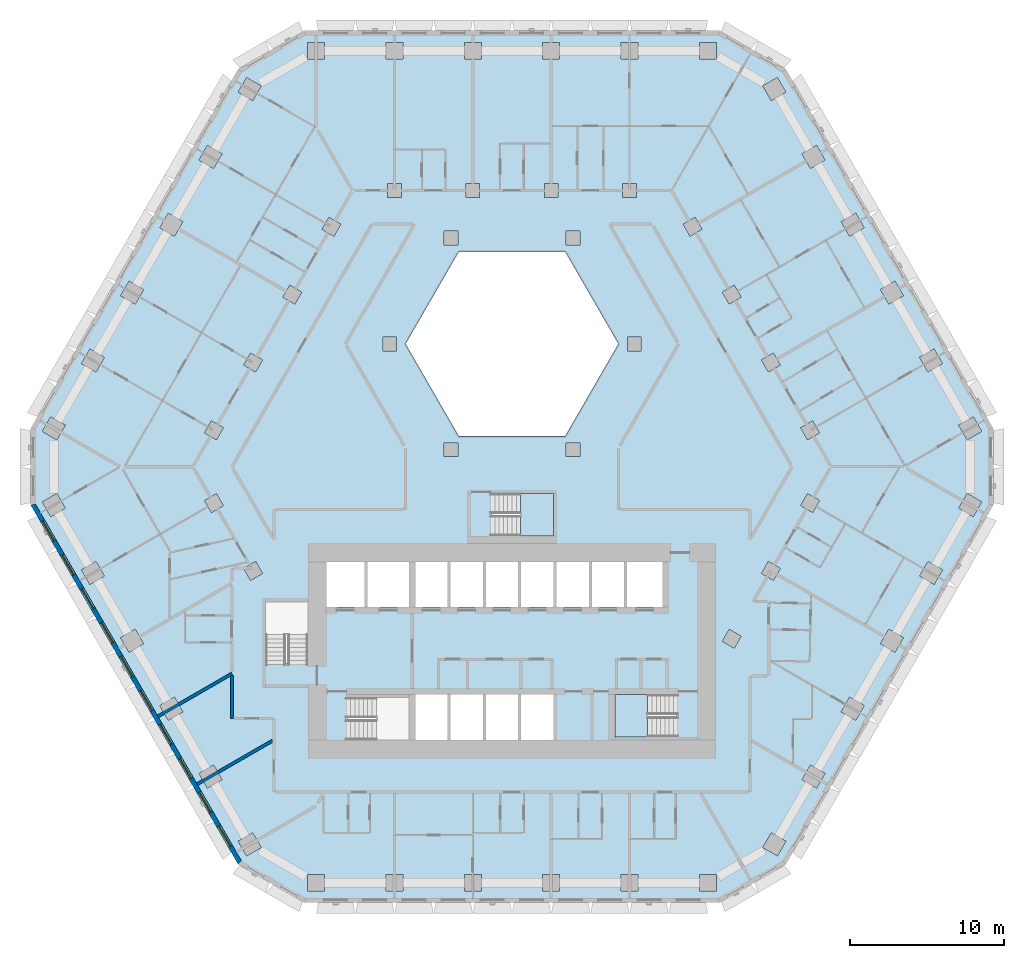
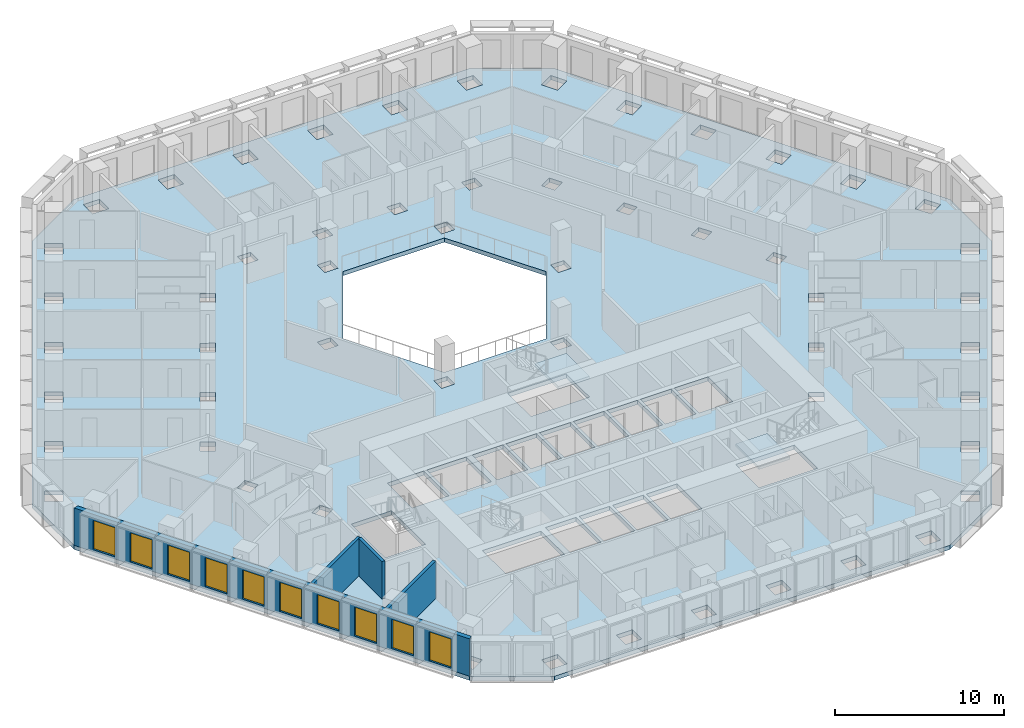
# One storey, part 2 of 21: 10 windows, 4 walls, 3 slabs, 10 openings, 2 elements without a shape of their own.
"""IFC4 building model written with IfcOpenShell, lengths in metres."""

from ifc_helpers import new_model, si_unit, direction, frame, frame_2d, origin, place, context, subcontext, project, spatial, polyline, rectangle, outline, extrude, material, layer, layer_set, type_object, element, fill, aggregate, save


model = new_model("IFC4")

# Units and contexts
model_context = context("Model", 3, precision=1e-05, world=origin(), true_north=direction((0.0, 1.0)))
body_context = subcontext(model_context, "Body", "Model", "MODEL_VIEW")
ifc_project = project(units=[si_unit("LENGTHUNIT", "METRE"), si_unit("AREAUNIT", "SQUARE_METRE"), si_unit("VOLUMEUNIT", "CUBIC_METRE"), si_unit("PLANEANGLEUNIT", "RADIAN"), si_unit("MASSUNIT", "GRAM", prefix="KILO")], contexts=[model_context])

# Site, building, storey
site_placement = place(None, origin())
site = spatial("IfcSite", under=ifc_project, at=site_placement, CompositionType="ELEMENT")
building_placement = place(site_placement, origin())
building = spatial("IfcBuilding", under=site, at=building_placement, Name="Beryl Residences", CompositionType="ELEMENT")
storey_placement = place(building_placement, frame((0.0, 0.0, 35.39990234375)))
storey = spatial("IfcBuildingStorey", under=building, at=storey_placement, Name="L10", CompositionType="ELEMENT", Elevation=35.39990234375)

# Slab
ifc_material_1 = material(Name="Concrete C40/50", Category="concrete")
ifc_layer_1 = layer(ifc_material_1, 0.300048828125)
ifc_layer_set_1 = layer_set([ifc_layer_1], Name="SL7 PT floor slab 300 mm C40/50")
slab_type_1 = type_object("IfcSlabType", Name="SL7 PT floor slab 300 mm C40/50", PredefinedType="FLOOR", material=ifc_layer_set_1)
slab_1_placement = place(storey_placement, frame((0.0, 0.0, -0.2998046875)))
element("IfcSlab", 1, at=slab_1_placement, inside=storey, type_object=slab_type_1, Name="L10 slab 1", PredefinedType="FLOOR", context=body_context, shape_type="SweptSolid", body=[
    extrude(outline(polyline([(31.35009765625, -2.5), (17.840087890625, -25.89990234375), (13.510009765625, -28.39990234375), (-13.510009765625, -28.39990234375), (-17.840087890625, -25.89990234375), (-31.35009765625, -2.5), (-31.35009765625, 2.5), (-17.840087890625, 25.89990234375), (-13.510009765625, 28.39990234375), (13.510009765625, 28.39990234375), (17.840087890625, 25.89990234375), (31.35009765625, 2.5), (31.35009765625, -2.5)]), holes=[polyline([(30.60009765625, -2.298095703125), (29.64794921875, -1.748046875), (29.097900390625, -2.699951171875), (30.050048828125, -3.25), (30.60009765625, -2.298095703125)]), polyline([(30.59912109375, 2.299072265625), (30.049072265625, 3.2509765625), (29.096923828125, 2.700927734375), (29.64697265625, 1.7490234375), (30.59912109375, 2.299072265625)]), polyline([(28.049072265625, -6.718017578125), (27.096923828125, -6.16796875), (26.547119140625, -7.1201171875), (27.4990234375, -7.669921875), (28.049072265625, -6.718017578125)]), polyline([(27.498046875, 7.672119140625), (26.5458984375, 7.1220703125), (27.095947265625, 6.169921875), (28.048095703125, 6.719970703125), (27.498046875, 7.672119140625)]), polyline([(24.544921875, -10.587890625), (23.9951171875, -11.5400390625), (24.947021484375, -12.090087890625), (25.4970703125, -11.137939453125), (24.544921875, -10.587890625)]), polyline([(25.49609375, 11.139892578125), (24.946044921875, 12.092041015625), (23.993896484375, 11.5419921875), (24.5439453125, 10.590087890625), (25.49609375, 11.139892578125)]), polyline([(22.39501953125, -16.510009765625), (22.945068359375, -15.55810546875), (21.992919921875, -15.008056640625), (21.443115234375, -15.9599609375), (22.39501953125, -16.510009765625)]), polyline([(22.39404296875, 16.511962890625), (21.44189453125, 15.9619140625), (21.991943359375, 15.010009765625), (22.944091796875, 15.56005859375), (22.39404296875, 16.511962890625)]), polyline([(20.39306640625, -19.97900390625), (19.44091796875, -19.428955078125), (18.89111328125, -20.381103515625), (19.843017578125, -20.930908203125), (20.39306640625, -19.97900390625)]), polyline([(19.842041015625, 20.931884765625), (18.889892578125, 20.382080078125), (19.43994140625, 19.429931640625), (20.39208984375, 19.97998046875), (19.842041015625, 20.931884765625)]), polyline([(20.031982421875, -2.2041015625), (19.251953125, -1.75390625), (18.802001953125, -2.533935546875), (19.58203125, -2.98388671875), (20.031982421875, -2.2041015625)]), polyline([(20.031005859375, 2.2060546875), (19.5810546875, 2.986083984375), (18.801025390625, 2.535888671875), (19.2509765625, 1.756103515625), (20.031005859375, 2.2060546875)]), polyline([(17.841064453125, -24.39892578125), (16.888916015625, -23.84912109375), (16.339111328125, -24.801025390625), (17.291015625, -25.35107421875), (17.841064453125, -24.39892578125)]), polyline([(17.840087890625, 24.39990234375), (17.2900390625, 25.35205078125), (16.337890625, 24.802001953125), (16.887939453125, 23.85009765625), (17.840087890625, 24.39990234375)]), polyline([(17.47998046875, -6.6240234375), (16.699951171875, -6.174072265625), (16.25, -6.9541015625), (17.030029296875, -7.404052734375), (17.47998046875, -6.6240234375)]), polyline([(17.029052734375, 7.406005859375), (16.2490234375, 6.9560546875), (16.698974609375, 6.176025390625), (17.47900390625, 6.6259765625), (17.029052734375, 7.406005859375)]), polyline([(14.927978515625, -11.0439453125), (14.14794921875, -10.593994140625), (13.697998046875, -11.3740234375), (14.47802734375, -11.823974609375), (14.927978515625, -11.0439453125)]), polyline([(14.927001953125, 11.0458984375), (14.47705078125, 11.825927734375), (13.697021484375, 11.3759765625), (14.14697265625, 10.595947265625), (14.927001953125, 11.0458984375)]), polyline([(13.31103515625, -27.64990234375), (13.31103515625, -26.550048828125), (12.2109375, -26.550048828125), (12.2109375, -27.64990234375), (13.31103515625, -27.64990234375)]), polyline([(13.30908203125, 27.64990234375), (12.208984375, 27.64990234375), (12.208984375, 26.550048828125), (13.30908203125, 26.550048828125), (13.30908203125, 27.64990234375)]), polyline([(11.925048828125, 16.24609375), (11.14501953125, 15.7958984375), (11.594970703125, 15.01611328125), (12.375, 15.466064453125), (11.925048828125, 16.24609375)]), polyline([(10.699951171875, -14.85009765625), (6.699951171875, -14.85009765625), (6.699951171875, -17.60009765625), (10.699951171875, -17.60009765625), (10.699951171875, -14.85009765625)]), polyline([(9.800048828125, -6.199951171875), (7.5, -6.199951171875), (7.5, -9.14990234375), (9.800048828125, -9.14990234375), (9.800048828125, -6.199951171875)]), polyline([(8.4169921875, 7.550048828125), (8.4169921875, 8.449951171875), (7.51708984375, 8.449951171875), (7.51708984375, 7.550048828125), (8.4169921875, 7.550048828125)]), polyline([(7.10693359375, -27.64990234375), (8.20703125, -27.64990234375), (8.20703125, -26.550048828125), (7.10693359375, -26.550048828125), (7.10693359375, -27.64990234375)]), polyline([(8.205078125, 27.64990234375), (7.10498046875, 27.64990234375), (7.10498046875, 26.550048828125), (8.205078125, 26.550048828125), (8.205078125, 27.64990234375)]), polyline([(7.205078125, 18.449951171875), (7.205078125, 17.550048828125), (8.10498046875, 17.550048828125), (8.10498046875, 18.449951171875), (7.205078125, 18.449951171875)]), polyline([(5.199951171875, -9.14990234375), (7.300048828125, -9.14990234375), (7.300048828125, -6.199951171875), (5.199951171875, -6.199951171875), (5.199951171875, -9.14990234375)]), polyline([(3.464111328125, 14.0), (-3.464111328125, 14.0), (-6.92822265625, 8.0), (-3.464111328125, 2.0), (3.464111328125, 2.0), (6.92822265625, 8.0), (3.464111328125, 14.0)]), polyline([(2.89990234375, -6.199951171875), (2.89990234375, -9.14990234375), (5.0, -9.14990234375), (5.0, -6.199951171875), (2.89990234375, -6.199951171875)]), polyline([(4.43408203125, 15.35009765625), (3.533935546875, 15.35009765625), (3.533935546875, 14.449951171875), (4.43408203125, 14.449951171875), (4.43408203125, 15.35009765625)]), polyline([(4.43408203125, 0.64990234375), (4.43408203125, 1.550048828125), (3.533935546875, 1.550048828125), (3.533935546875, 0.64990234375), (4.43408203125, 0.64990234375)]), polyline([(3.10302734375, -27.64990234375), (3.10302734375, -26.550048828125), (2.0029296875, -26.550048828125), (2.0029296875, -27.64990234375), (3.10302734375, -27.64990234375)]), polyline([(2.0009765625, 27.64990234375), (2.0009765625, 26.550048828125), (3.10107421875, 26.550048828125), (3.10107421875, 27.64990234375), (2.0009765625, 27.64990234375)]), polyline([(3.0009765625, 18.449951171875), (2.10107421875, 18.449951171875), (2.10107421875, 17.550048828125), (3.0009765625, 17.550048828125), (3.0009765625, 18.449951171875)]), polyline([(-1.300048828125, -1.75), (-1.300048828125, -4.5), (2.699951171875, -4.5), (2.699951171875, -1.75), (-1.300048828125, -1.75)]), polyline([(0.60009765625, -9.14990234375), (2.699951171875, -9.14990234375), (2.699951171875, -6.199951171875), (0.60009765625, -6.199951171875), (0.60009765625, -9.14990234375)]), polyline([(0.60009765625, -17.800048828125), (2.699951171875, -17.800048828125), (2.699951171875, -14.85009765625), (0.60009765625, -14.85009765625), (0.60009765625, -17.800048828125)]), polyline([(-1.699951171875, -6.199951171875), (-1.699951171875, -9.14990234375), (0.39990234375, -9.14990234375), (0.39990234375, -6.199951171875), (-1.699951171875, -6.199951171875)]), polyline([(-1.699951171875, -14.85009765625), (-1.699951171875, -17.800048828125), (0.39990234375, -17.800048828125), (0.39990234375, -14.85009765625), (-1.699951171875, -14.85009765625)]), polyline([(-4.0, -9.14990234375), (-1.89990234375, -9.14990234375), (-1.89990234375, -6.199951171875), (-4.0, -6.199951171875), (-4.0, -9.14990234375)]), polyline([(-4.0, -17.800048828125), (-1.89990234375, -17.800048828125), (-1.89990234375, -14.85009765625), (-4.0, -14.85009765625), (-4.0, -17.800048828125)]), polyline([(-2.0009765625, -27.64990234375), (-2.0009765625, -26.550048828125), (-3.10107421875, -26.550048828125), (-3.10107421875, -27.64990234375), (-2.0009765625, -27.64990234375)]), polyline([(-3.10302734375, 27.64990234375), (-3.10302734375, 26.550048828125), (-2.0029296875, 26.550048828125), (-2.0029296875, 27.64990234375), (-3.10302734375, 27.64990234375)]), polyline([(-2.10302734375, 18.449951171875), (-3.0029296875, 18.449951171875), (-3.0029296875, 17.550048828125), (-2.10302734375, 17.550048828125), (-2.10302734375, 18.449951171875)]), polyline([(-3.533935546875, 14.449951171875), (-3.533935546875, 15.35009765625), (-4.43408203125, 15.35009765625), (-4.43408203125, 14.449951171875), (-3.533935546875, 14.449951171875)]), polyline([(-3.533935546875, 0.64990234375), (-3.533935546875, 1.550048828125), (-4.43408203125, 1.550048828125), (-4.43408203125, 0.64990234375), (-3.533935546875, 0.64990234375)]), polyline([(-6.300048828125, -9.14990234375), (-4.199951171875, -9.14990234375), (-4.199951171875, -6.199951171875), (-6.300048828125, -6.199951171875), (-6.300048828125, -9.14990234375)]), polyline([(-6.300048828125, -14.85009765625), (-6.300048828125, -17.800048828125), (-4.199951171875, -17.800048828125), (-4.199951171875, -14.85009765625), (-6.300048828125, -14.85009765625)]), polyline([(-6.699951171875, -17.800048828125), (-6.699951171875, -15.050048828125), (-10.699951171875, -15.050048828125), (-10.699951171875, -17.800048828125), (-6.699951171875, -17.800048828125)]), polyline([(-9.39990234375, -6.199951171875), (-9.39990234375, -9.14990234375), (-6.699951171875, -9.14990234375), (-6.699951171875, -6.199951171875), (-9.39990234375, -6.199951171875)]), polyline([(-8.205078125, -27.64990234375), (-7.10498046875, -27.64990234375), (-7.10498046875, -26.550048828125), (-8.205078125, -26.550048828125), (-8.205078125, -27.64990234375)]), polyline([(-7.10693359375, 27.64990234375), (-8.20703125, 27.64990234375), (-8.20703125, 26.550048828125), (-7.10693359375, 26.550048828125), (-7.10693359375, 27.64990234375)]), polyline([(-8.10693359375, 18.449951171875), (-8.10693359375, 17.550048828125), (-7.20703125, 17.550048828125), (-7.20703125, 18.449951171875), (-8.10693359375, 18.449951171875)]), polyline([(-8.4169921875, 7.550048828125), (-7.51708984375, 7.550048828125), (-7.51708984375, 8.449951171875), (-8.4169921875, 8.449951171875), (-8.4169921875, 7.550048828125)]), polyline([(-12.10009765625, -6.199951171875), (-12.10009765625, -9.14990234375), (-9.60009765625, -9.14990234375), (-9.60009765625, -6.199951171875), (-12.10009765625, -6.199951171875)]), polyline([(-12.3759765625, 15.465087890625), (-11.595947265625, 15.014892578125), (-11.14599609375, 15.794921875), (-11.926025390625, 16.2451171875), (-12.3759765625, 15.465087890625)]), polyline([(-12.208984375, -26.550048828125), (-13.30908203125, -26.550048828125), (-13.30908203125, -27.64990234375), (-12.208984375, -27.64990234375), (-12.208984375, -26.550048828125)]), polyline([(-13.31103515625, 27.64990234375), (-13.31103515625, 26.550048828125), (-12.2109375, 26.550048828125), (-12.2109375, 27.64990234375), (-13.31103515625, 27.64990234375)]), polyline([(-13.300048828125, -8.800048828125), (-16.050048828125, -8.800048828125), (-16.050048828125, -12.800048828125), (-13.300048828125, -12.800048828125), (-13.300048828125, -8.800048828125)]), polyline([(-14.47802734375, 11.823974609375), (-14.927978515625, 11.0439453125), (-14.14794921875, 10.593994140625), (-13.697998046875, 11.3740234375), (-14.47802734375, 11.823974609375)]), polyline([(-17.029052734375, -7.406005859375), (-16.2490234375, -6.9560546875), (-16.698974609375, -6.176025390625), (-17.47900390625, -6.6259765625), (-17.029052734375, -7.406005859375)]), polyline([(-17.47998046875, 6.6240234375), (-16.699951171875, 6.174072265625), (-16.25, 6.9541015625), (-17.030029296875, 7.404052734375), (-17.47998046875, 6.6240234375)]), polyline([(-17.2900390625, -25.35205078125), (-16.337890625, -24.802001953125), (-16.887939453125, -23.85009765625), (-17.840087890625, -24.39990234375), (-17.2900390625, -25.35205078125)]), polyline([(-17.841064453125, 24.39892578125), (-16.888916015625, 23.84912109375), (-16.339111328125, 24.801025390625), (-17.291015625, 25.35107421875), (-17.841064453125, 24.39892578125)]), polyline([(-20.031005859375, -2.2060546875), (-19.5810546875, -2.986083984375), (-18.801025390625, -2.535888671875), (-19.2509765625, -1.756103515625), (-20.031005859375, -2.2060546875)]), polyline([(-19.58203125, 2.98388671875), (-20.031982421875, 2.2041015625), (-19.251953125, 1.75390625), (-18.802001953125, 2.533935546875), (-19.58203125, 2.98388671875)]), polyline([(-19.842041015625, -20.931884765625), (-18.889892578125, -20.382080078125), (-19.43994140625, -19.429931640625), (-20.39208984375, -19.97998046875), (-19.842041015625, -20.931884765625)]), polyline([(-20.39306640625, 19.97900390625), (-19.44091796875, 19.428955078125), (-18.89111328125, 20.381103515625), (-19.843017578125, 20.930908203125), (-20.39306640625, 19.97900390625)]), polyline([(-22.39404296875, -16.511962890625), (-21.44189453125, -15.9619140625), (-21.991943359375, -15.010009765625), (-22.944091796875, -15.56005859375), (-22.39404296875, -16.511962890625)]), polyline([(-22.945068359375, 15.55810546875), (-21.992919921875, 15.008056640625), (-21.443115234375, 15.9599609375), (-22.39501953125, 16.510009765625), (-22.945068359375, 15.55810546875)]), polyline([(-24.946044921875, -12.092041015625), (-23.993896484375, -11.5419921875), (-24.5439453125, -10.590087890625), (-25.49609375, -11.139892578125), (-24.946044921875, -12.092041015625)]), polyline([(-24.544921875, 10.587890625), (-23.9951171875, 11.5400390625), (-24.947021484375, 12.090087890625), (-25.4970703125, 11.137939453125), (-24.544921875, 10.587890625)]), polyline([(-27.498046875, -7.672119140625), (-26.5458984375, -7.1220703125), (-27.095947265625, -6.169921875), (-28.048095703125, -6.719970703125), (-27.498046875, -7.672119140625)]), polyline([(-28.049072265625, 6.718017578125), (-27.096923828125, 6.16796875), (-26.547119140625, 7.1201171875), (-27.4990234375, 7.669921875), (-28.049072265625, 6.718017578125)]), polyline([(-29.096923828125, -2.700927734375), (-29.64697265625, -1.7490234375), (-30.59912109375, -2.299072265625), (-30.049072265625, -3.2509765625), (-29.096923828125, -2.700927734375)]), polyline([(-30.60009765625, 2.298095703125), (-29.64794921875, 1.748046875), (-29.097900390625, 2.699951171875), (-30.050048828125, 3.25), (-30.60009765625, 2.298095703125)])]), origin(), (0.0, 0.0, 1.0), 0.2998046875),
])

# Stair, slab
ifc_material_2 = material(Name="Concrete C40/50", Category="concrete")
stair_type = type_object("IfcStairType", Name="ST1 protected exit stair, half-turn, 1300 mm flights", PredefinedType="HALF_TURN_STAIR", material=ifc_material_2)
stair_1_placement = place(storey_placement, origin())
stair_1 = element("IfcStair", 2, at=stair_1_placement, inside=storey, type_object=stair_type, Name="L10 PROTECTED EXIT STAIR ST-3", PredefinedType="HALF_TURN_STAIR")
ifc_material_3 = material(Name="Concrete C40/50", Category="concrete")
ifc_layer_2 = layer(ifc_material_3, 0.199951171875)
ifc_layer_set_2 = layer_set([ifc_layer_2], Name="SLD1 stair landing 200 mm")
slab_type_2 = type_object("IfcSlabType", Name="SLD1 stair landing 200 mm", PredefinedType="LANDING", material=ifc_layer_set_2)
slab_2_placement = place(storey_placement, frame((0.0, 0.0, 1.300048828125)))
slab_2 = element("IfcSlab", 3, at=slab_2_placement, type_object=slab_type_2, Name="ST-3 landing 1", PredefinedType="LANDING", context=body_context, shape_type="SweptSolid", body=[
    extrude(outline(polyline([(8.840087890625, -14.85009765625), (6.699951171875, -14.85009765625), (6.699951171875, -17.60009765625), (8.840087890625, -17.60009765625), (8.840087890625, -14.85009765625)])), origin(), (0.0, 0.0, 1.0), 0.199951171875),
])
aggregate(stair_1, [slab_2])

stair_2_placement = place(storey_placement, origin())
stair_2 = element("IfcStair", 4, at=stair_2_placement, inside=storey, type_object=stair_type, Name="L10 PROTECTED EXIT STAIR ST-4", PredefinedType="HALF_TURN_STAIR")
slab_3_placement = place(storey_placement, frame((0.0, 0.0, 1.300048828125)))
slab_3 = element("IfcSlab", 5, at=slab_3_placement, type_object=slab_type_2, Name="ST-4 landing 1", PredefinedType="LANDING", context=body_context, shape_type="SweptSolid", body=[
    extrude(outline(polyline([(0.56005859375, -4.5), (2.699951171875, -4.5), (2.699951171875, -1.75), (0.56005859375, -1.75), (0.56005859375, -4.5)])), origin(), (0.0, 0.0, 1.0), 0.199951171875),
])
aggregate(stair_2, [slab_3])

# Wall, openings, windows
ifc_material_4 = material(Name="Composite metal panel with mineral wool insulation")
ifc_layer_3 = layer(ifc_material_4, 0.300048828125)
ifc_layer_set_3 = layer_set([ifc_layer_3], Name="ES1 pale metal composite panel wall 300 mm")
wall_type_1 = type_object("IfcWallType", Name="ES1 pale metal composite panel wall 300 mm", PredefinedType="SOLIDWALL", material=ifc_layer_set_3)
wall_1_placement = place(storey_placement, frame((-31.219970703125, -2.425048828125, 0.0), z_axis=(0.0, 0.0, 1.0), x_axis=(0.500001938803, -0.866024284413, 0.0)))
wall_1 = element("IfcWall", 6, at=wall_1_placement, inside=storey, type_object=wall_type_1, Name="ES1 external wall L10 SW", PredefinedType="SOLIDWALL", context=body_context, shape_type="SweptSolid", body=[
    extrude(outline(polyline([(0.0, -0.14990234375), (27.02001953125, -0.14990234375), (26.939697265625, 0.14990234375), (0.080322265625, 0.14990234375), (0.0, -0.14990234375)])), origin(), (0.0, 0.0, 1.0), 2.7001953125),
])
opening_1_placement = place(wall_1_placement, frame((1.277099609375, 0.0, 0.14990234375)))
opening_1 = element("IfcOpeningElement", 7, at=opening_1_placement, cuts=wall_1, Name="Opening W1", PredefinedType="OPENING", context=body_context, shape_type="SweptSolid", body=[
    extrude(rectangle(XDim=1.5, YDim=2.10009765625, at=frame_2d((0.75, 1.050048828125))), frame((0.0, 0.159912109375, 0.0), z_axis=(0.0, -1.0, 0.0), x_axis=(1.0, 0.0, 0.0)), (0.0, 0.0, 1.0), 0.320068359375),
])
opening_2_placement = place(wall_1_placement, frame((3.8291015625, 0.0, 0.14990234375)))
opening_2 = element("IfcOpeningElement", 8, at=opening_2_placement, cuts=wall_1, Name="Opening W1", PredefinedType="OPENING", context=body_context, shape_type="SweptSolid", body=[
    extrude(rectangle(XDim=1.5, YDim=2.10009765625, at=frame_2d((0.75, 1.050048828125))), frame((0.0, 0.159912109375, 0.0), z_axis=(0.0, -1.0, 0.0), x_axis=(1.0, 0.0, 0.0)), (0.0, 0.0, 1.0), 0.320068359375),
])
opening_3_placement = place(wall_1_placement, frame((6.382080078125, 0.0, 0.14990234375)))
opening_3 = element("IfcOpeningElement", 9, at=opening_3_placement, cuts=wall_1, Name="Opening W1", PredefinedType="OPENING", context=body_context, shape_type="SweptSolid", body=[
    extrude(rectangle(XDim=1.5, YDim=2.10009765625, at=frame_2d((0.75, 1.050048828125))), frame((0.0, 0.159912109375, 0.0), z_axis=(0.0, -1.0, 0.0), x_axis=(1.0, 0.0, 0.0)), (0.0, 0.0, 1.0), 0.320068359375),
])
opening_4_placement = place(wall_1_placement, frame((8.93310546875, 0.0, 0.14990234375)))
opening_4 = element("IfcOpeningElement", 10, at=opening_4_placement, cuts=wall_1, Name="Opening W1", PredefinedType="OPENING", context=body_context, shape_type="SweptSolid", body=[
    extrude(rectangle(XDim=1.5, YDim=2.10009765625, at=frame_2d((0.75, 1.050048828125))), frame((0.0, 0.159912109375, 0.0), z_axis=(0.0, -1.0, 0.0), x_axis=(1.0, 0.0, 0.0)), (0.0, 0.0, 1.0), 0.320068359375),
])
opening_5_placement = place(wall_1_placement, frame((11.485107421875, 0.0, 0.14990234375)))
opening_5 = element("IfcOpeningElement", 11, at=opening_5_placement, cuts=wall_1, Name="Opening W1", PredefinedType="OPENING", context=body_context, shape_type="SweptSolid", body=[
    extrude(rectangle(XDim=1.5, YDim=2.10009765625, at=frame_2d((0.75, 1.050048828125))), frame((0.0, 0.159912109375, 0.0), z_axis=(0.0, -1.0, 0.0), x_axis=(1.0, 0.0, 0.0)), (0.0, 0.0, 1.0), 0.320068359375),
])
opening_6_placement = place(wall_1_placement, frame((14.037109375, 0.0, 0.14990234375)))
opening_6 = element("IfcOpeningElement", 12, at=opening_6_placement, cuts=wall_1, Name="Opening W1", PredefinedType="OPENING", context=body_context, shape_type="SweptSolid", body=[
    extrude(rectangle(XDim=1.5, YDim=2.10009765625, at=frame_2d((0.75, 1.050048828125))), frame((0.0, 0.159912109375, 0.0), z_axis=(0.0, -1.0, 0.0), x_axis=(1.0, 0.0, 0.0)), (0.0, 0.0, 1.0), 0.320068359375),
])
opening_7_placement = place(wall_1_placement, frame((16.589111328125, 0.0, 0.14990234375)))
opening_7 = element("IfcOpeningElement", 13, at=opening_7_placement, cuts=wall_1, Name="Opening W1", PredefinedType="OPENING", context=body_context, shape_type="SweptSolid", body=[
    extrude(rectangle(XDim=1.5, YDim=2.10009765625, at=frame_2d((0.75, 1.050048828125))), frame((0.0, 0.159912109375, 0.0), z_axis=(0.0, -1.0, 0.0), x_axis=(1.0, 0.0, 0.0)), (0.0, 0.0, 1.0), 0.320068359375),
])
opening_8_placement = place(wall_1_placement, frame((19.14111328125, 0.0, 0.14990234375)))
opening_8 = element("IfcOpeningElement", 14, at=opening_8_placement, cuts=wall_1, Name="Opening W1", PredefinedType="OPENING", context=body_context, shape_type="SweptSolid", body=[
    extrude(rectangle(XDim=1.5, YDim=2.10009765625, at=frame_2d((0.75, 1.050048828125))), frame((0.0, 0.159912109375, 0.0), z_axis=(0.0, -1.0, 0.0), x_axis=(1.0, 0.0, 0.0)), (0.0, 0.0, 1.0), 0.320068359375),
])
opening_9_placement = place(wall_1_placement, frame((21.693115234375, 0.0, 0.14990234375)))
opening_9 = element("IfcOpeningElement", 15, at=opening_9_placement, cuts=wall_1, Name="Opening W1", PredefinedType="OPENING", context=body_context, shape_type="SweptSolid", body=[
    extrude(rectangle(XDim=1.5, YDim=2.10009765625, at=frame_2d((0.75, 1.050048828125))), frame((0.0, 0.159912109375, 0.0), z_axis=(0.0, -1.0, 0.0), x_axis=(1.0, 0.0, 0.0)), (0.0, 0.0, 1.0), 0.320068359375),
])
opening_10_placement = place(wall_1_placement, frame((24.243896484375, 0.0, 0.14990234375)))
opening_10 = element("IfcOpeningElement", 16, at=opening_10_placement, cuts=wall_1, Name="Opening W1", PredefinedType="OPENING", context=body_context, shape_type="SweptSolid", body=[
    extrude(rectangle(XDim=1.5, YDim=2.10009765625, at=frame_2d((0.75, 1.050048828125))), frame((0.0, 0.159912109375, 0.0), z_axis=(0.0, -1.0, 0.0), x_axis=(1.0, 0.0, 0.0)), (0.0, 0.0, 1.0), 0.320068359375),
])
ifc_material_5 = material(Name="Aluminium and clear glass", Category="aluminium")
window_type = type_object("IfcWindowType", Name="W1 cell window 1500 x 2100 mm", PartitioningType="SINGLE_PANEL", PredefinedType="WINDOW", material=ifc_material_5)
window_1_placement = place(opening_1_placement, origin())
window_1 = element("IfcWindow", 17, at=window_1_placement, inside=storey, type_object=window_type, Name="W1 window L10 SW 1", OverallHeight=2.10009765625, OverallWidth=1.5, PartitioningType="SINGLE_PANEL", PredefinedType="WINDOW", context=body_context, shape_type="SweptSolid", body=[
    extrude(rectangle(XDim=1.5, YDim=2.10009765625, at=frame_2d((0.75, 1.050048828125))), frame((0.0, 0.030029296875, 0.0), z_axis=(0.0, -1.0, 0.0), x_axis=(1.0, 0.0, 0.0)), (0.0, 0.0, 1.0), 0.06005859375),
])
fill(opening_1, window_1)
window_2_placement = place(opening_2_placement, origin())
window_2 = element("IfcWindow", 18, at=window_2_placement, inside=storey, type_object=window_type, Name="W1 window L10 SW 2", OverallHeight=2.10009765625, OverallWidth=1.5, PartitioningType="SINGLE_PANEL", PredefinedType="WINDOW", context=body_context, shape_type="SweptSolid", body=[
    extrude(rectangle(XDim=1.5, YDim=2.10009765625, at=frame_2d((0.75, 1.050048828125))), frame((0.0, 0.030029296875, 0.0), z_axis=(0.0, -1.0, 0.0), x_axis=(1.0, 0.0, 0.0)), (0.0, 0.0, 1.0), 0.06005859375),
])
fill(opening_2, window_2)
window_3_placement = place(opening_3_placement, origin())
window_3 = element("IfcWindow", 19, at=window_3_placement, inside=storey, type_object=window_type, Name="W1 window L10 SW 3", OverallHeight=2.10009765625, OverallWidth=1.5, PartitioningType="SINGLE_PANEL", PredefinedType="WINDOW", context=body_context, shape_type="SweptSolid", body=[
    extrude(rectangle(XDim=1.5, YDim=2.10009765625, at=frame_2d((0.75, 1.050048828125))), frame((0.0, 0.030029296875, 0.0), z_axis=(0.0, -1.0, 0.0), x_axis=(1.0, 0.0, 0.0)), (0.0, 0.0, 1.0), 0.06005859375),
])
fill(opening_3, window_3)
window_4_placement = place(opening_4_placement, origin())
window_4 = element("IfcWindow", 20, at=window_4_placement, inside=storey, type_object=window_type, Name="W1 window L10 SW 4", OverallHeight=2.10009765625, OverallWidth=1.5, PartitioningType="SINGLE_PANEL", PredefinedType="WINDOW", context=body_context, shape_type="SweptSolid", body=[
    extrude(rectangle(XDim=1.5, YDim=2.10009765625, at=frame_2d((0.75, 1.050048828125))), frame((0.0, 0.030029296875, 0.0), z_axis=(0.0, -1.0, 0.0), x_axis=(1.0, 0.0, 0.0)), (0.0, 0.0, 1.0), 0.06005859375),
])
fill(opening_4, window_4)
window_5_placement = place(opening_5_placement, origin())
window_5 = element("IfcWindow", 21, at=window_5_placement, inside=storey, type_object=window_type, Name="W1 window L10 SW 5", OverallHeight=2.10009765625, OverallWidth=1.5, PartitioningType="SINGLE_PANEL", PredefinedType="WINDOW", context=body_context, shape_type="SweptSolid", body=[
    extrude(rectangle(XDim=1.5, YDim=2.10009765625, at=frame_2d((0.75, 1.050048828125))), frame((0.0, 0.030029296875, 0.0), z_axis=(0.0, -1.0, 0.0), x_axis=(1.0, 0.0, 0.0)), (0.0, 0.0, 1.0), 0.06005859375),
])
fill(opening_5, window_5)
window_6_placement = place(opening_6_placement, origin())
window_6 = element("IfcWindow", 22, at=window_6_placement, inside=storey, type_object=window_type, Name="W1 window L10 SW 6", OverallHeight=2.10009765625, OverallWidth=1.5, PartitioningType="SINGLE_PANEL", PredefinedType="WINDOW", context=body_context, shape_type="SweptSolid", body=[
    extrude(rectangle(XDim=1.5, YDim=2.10009765625, at=frame_2d((0.75, 1.050048828125))), frame((0.0, 0.030029296875, 0.0), z_axis=(0.0, -1.0, 0.0), x_axis=(1.0, 0.0, 0.0)), (0.0, 0.0, 1.0), 0.06005859375),
])
fill(opening_6, window_6)
window_7_placement = place(opening_7_placement, origin())
window_7 = element("IfcWindow", 23, at=window_7_placement, inside=storey, type_object=window_type, Name="W1 window L10 SW 7", OverallHeight=2.10009765625, OverallWidth=1.5, PartitioningType="SINGLE_PANEL", PredefinedType="WINDOW", context=body_context, shape_type="SweptSolid", body=[
    extrude(rectangle(XDim=1.5, YDim=2.10009765625, at=frame_2d((0.75, 1.050048828125))), frame((0.0, 0.030029296875, 0.0), z_axis=(0.0, -1.0, 0.0), x_axis=(1.0, 0.0, 0.0)), (0.0, 0.0, 1.0), 0.06005859375),
])
fill(opening_7, window_7)
window_8_placement = place(opening_8_placement, origin())
window_8 = element("IfcWindow", 24, at=window_8_placement, inside=storey, type_object=window_type, Name="W1 window L10 SW 8", OverallHeight=2.10009765625, OverallWidth=1.5, PartitioningType="SINGLE_PANEL", PredefinedType="WINDOW", context=body_context, shape_type="SweptSolid", body=[
    extrude(rectangle(XDim=1.5, YDim=2.10009765625, at=frame_2d((0.75, 1.050048828125))), frame((0.0, 0.030029296875, 0.0), z_axis=(0.0, -1.0, 0.0), x_axis=(1.0, 0.0, 0.0)), (0.0, 0.0, 1.0), 0.06005859375),
])
fill(opening_8, window_8)
window_9_placement = place(opening_9_placement, origin())
window_9 = element("IfcWindow", 25, at=window_9_placement, inside=storey, type_object=window_type, Name="W1 window L10 SW 9", OverallHeight=2.10009765625, OverallWidth=1.5, PartitioningType="SINGLE_PANEL", PredefinedType="WINDOW", context=body_context, shape_type="SweptSolid", body=[
    extrude(rectangle(XDim=1.5, YDim=2.10009765625, at=frame_2d((0.75, 1.050048828125))), frame((0.0, 0.030029296875, 0.0), z_axis=(0.0, -1.0, 0.0), x_axis=(1.0, 0.0, 0.0)), (0.0, 0.0, 1.0), 0.06005859375),
])
fill(opening_9, window_9)
window_10_placement = place(opening_10_placement, origin())
window_10 = element("IfcWindow", 26, at=window_10_placement, inside=storey, type_object=window_type, Name="W1 window L10 SW 10", OverallHeight=2.10009765625, OverallWidth=1.5, PartitioningType="SINGLE_PANEL", PredefinedType="WINDOW", context=body_context, shape_type="SweptSolid", body=[
    extrude(rectangle(XDim=1.5, YDim=2.10009765625, at=frame_2d((0.75, 1.050048828125))), frame((0.0, 0.030029296875, 0.0), z_axis=(0.0, -1.0, 0.0), x_axis=(1.0, 0.0, 0.0)), (0.0, 0.0, 1.0), 0.06005859375),
])
fill(opening_10, window_10)

# Walls
ifc_material_6 = material(Name="Acoustic double stud gypsum board wall")
ifc_layer_4 = layer(ifc_material_6, 0.199951171875)
ifc_layer_set_4 = layer_set([ifc_layer_4], Name="PT3 party wall 200 mm acoustic double stud")
wall_type_2 = type_object("IfcWallType", Name="PT3 party wall 200 mm acoustic double stud", PredefinedType="PARTITIONING", material=ifc_layer_set_4)
wall_2_placement = place(storey_placement, frame((-20.507080078125, -20.680908203125, 0.0), z_axis=(0.0, 0.0, 1.0), x_axis=(0.866028446103, 0.499994730513, 0.0)))
element("IfcWall", 27, at=wall_2_placement, inside=storey, type_object=wall_type_2, Name="Wall PT3 L10 022", PredefinedType="PARTITIONING", context=body_context, shape_type="SweptSolid", body=[
    extrude(rectangle(XDim=5.666015625, YDim=0.199951171875, at=frame_2d((2.8330078125, 0.0))), origin(), (0.0, 0.0, 1.0), 2.7001953125),
])
wall_3_placement = place(storey_placement, frame((-23.05908203125, -16.260986328125, 0.0), z_axis=(0.0, 0.0, 1.0), x_axis=(0.866075767886, 0.499912756669, 0.0)))
element("IfcWall", 28, at=wall_3_placement, inside=storey, type_object=wall_type_2, Name="Wall PT3 L10 024", PredefinedType="PARTITIONING", context=body_context, shape_type="SweptSolid", body=[
    extrude(rectangle(XDim=5.552734375, YDim=0.199951171875, at=frame_2d((2.7763671875, 0.0))), origin(), (0.0, 0.0, 1.0), 2.7001953125),
])
ifc_material_7 = material(Name="Double stud gypsum board wall")
ifc_layer_5 = layer(ifc_material_7, 0.199951171875)
ifc_layer_set_5 = layer_set([ifc_layer_5], Name="PT4 corridor wall 200 mm double stud")
wall_type_3 = type_object("IfcWallType", Name="PT4 corridor wall 200 mm double stud", PredefinedType="PARTITIONING", material=ifc_layer_set_5)
wall_4_placement = place(storey_placement, frame((-18.25, -16.39990234375, 0.0), z_axis=(0.0, 0.0, 1.0), x_axis=(0.0, 1.0, 0.0)))
element("IfcWall", 29, at=wall_4_placement, inside=storey, type_object=wall_type_3, Name="Wall PT4 L10 032", PredefinedType="PARTITIONING", context=body_context, shape_type="SweptSolid", body=[
    extrude(rectangle(XDim=2.7998046875, YDim=0.199951171875, at=frame_2d((1.39990234375, 0.0))), origin(), (0.0, 0.0, 1.0), 2.7001953125),
])

save(model, "model.ifc")
